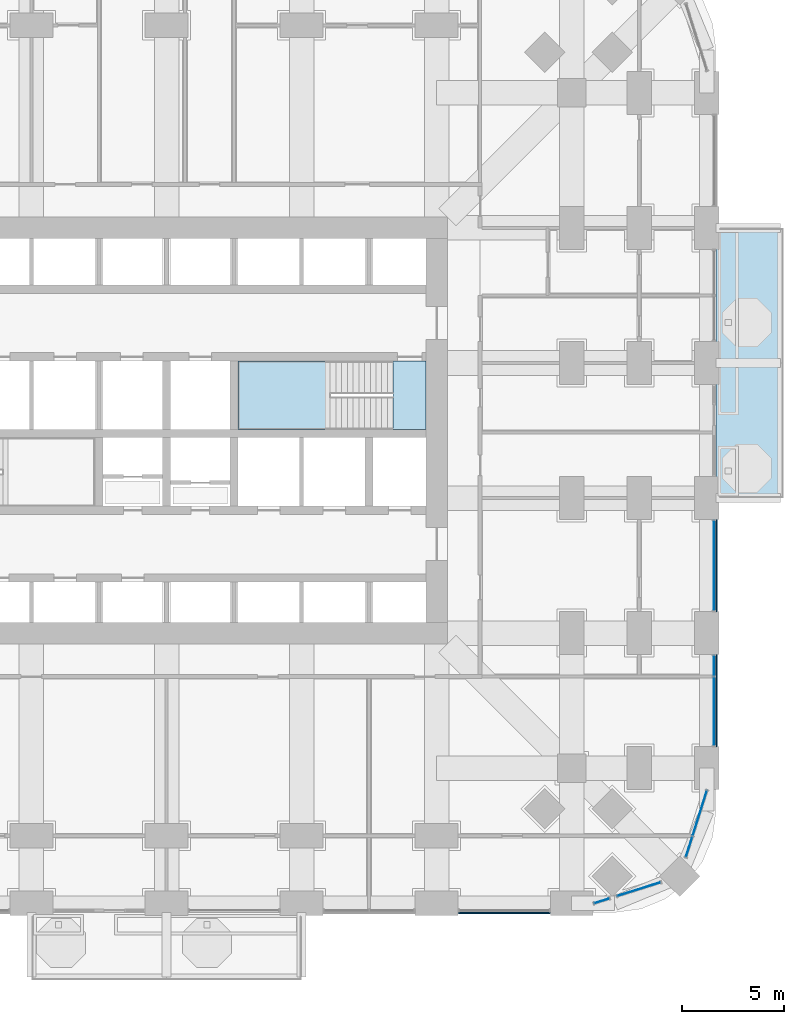
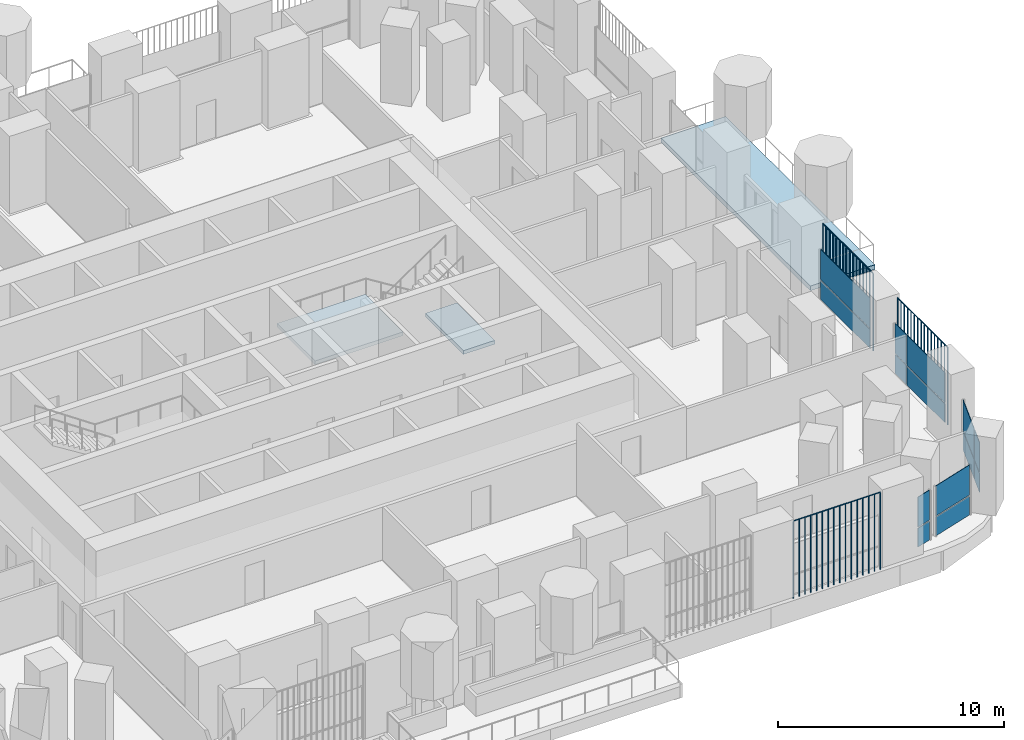
# One storey, part 13 of 26: 17 plates, 3 slabs, 6 elements without a shape of their own.
"""IFC4 building model written with IfcOpenShell, lengths in metres."""

from ifc_helpers import new_model, si_unit, direction, frame, origin, origin_2d, place, context, subcontext, project, spatial, polyline, rectangle, outline, extrude, material, layer, layer_set, type_object, element, aggregate, save


model = new_model("IFC4")

# Units and contexts
model_context = context("Model", 3, precision=1e-05, world=origin(), true_north=direction((0.0, 1.0)))
body_context = subcontext(model_context, "Body", "Model", "MODEL_VIEW")
ifc_project = project(units=[si_unit("LENGTHUNIT", "METRE"), si_unit("AREAUNIT", "SQUARE_METRE"), si_unit("VOLUMEUNIT", "CUBIC_METRE"), si_unit("PLANEANGLEUNIT", "RADIAN"), si_unit("MASSUNIT", "GRAM", prefix="KILO")], contexts=[model_context])

# Site, building, storey
site_placement = place(None, origin())
site = spatial("IfcSite", under=ifc_project, at=site_placement, CompositionType="ELEMENT")
building_placement = place(site_placement, origin())
building = spatial("IfcBuilding", under=site, at=building_placement, Name="Cobogo Forest Laboratory Tower", CompositionType="ELEMENT")
storey_placement = place(building_placement, frame((0.0, 0.0, 25.5)))
storey = spatial("IfcBuildingStorey", under=building, at=storey_placement, Name="L05", CompositionType="ELEMENT", Elevation=25.5)

# Slab
ifc_material_1 = material(Name="Concrete HA-40 (C40/50)", Category="concrete")
ifc_layer_1 = layer(ifc_material_1, 0.25)
ifc_layer_set_1 = layer_set([ifc_layer_1], Name="Balcony slab 250")
slab_type_1 = type_object("IfcSlabType", Name="Balcony slab 250", PredefinedType="FLOOR", material=ifc_layer_set_1)
slab_1_placement = place(storey_placement, frame((0.0, 0.0, -0.25)))
element("IfcSlab", 1, at=slab_1_placement, inside=storey, type_object=slab_type_1, Name="Balcony BAL-E1 L05", PredefinedType="FLOOR", context=body_context, shape_type="SweptSolid", body=[
    extrude(outline(polyline([(53.25, 19.800048828125), (56.550048828125, 19.800048828125), (56.550048828125, 33.0), (53.25, 33.0), (53.25, 19.800048828125)])), origin(), (0.0, 0.0, 1.0), 0.25),
])

# Curtain wall, plates
ifc_material_2 = material(Name="Aluminium curtain wall", Category="aluminium")
curtain_wall_type = type_object("IfcCurtainWallType", Name="CW-1 unitised curtain wall, clear glazing, laboratory floors zones A and B", PredefinedType="USERDEFINED", material=ifc_material_2)
curtain_wall_1_placement = place(storey_placement, origin())
curtain_wall_1 = element("IfcCurtainWall", 2, at=curtain_wall_1_placement, inside=storey, type_object=curtain_wall_type, Name="Curtain wall 07 L05", ObjectType="UNITISED CURTAIN WALL", PredefinedType="USERDEFINED")
ifc_material_3 = material(Name="Clear insulated glass", Category="glass")
ifc_layer_2 = layer(ifc_material_3, 0.028076171875)
ifc_layer_set_2 = layer_set([ifc_layer_2], Name="GP-1 clear insulated glass unit 28")
plate_type_1 = type_object("IfcPlateType", Name="GP-1 clear insulated glass unit 28", PredefinedType="CURTAIN_PANEL", material=ifc_layer_set_2)
plate_1_placement = place(storey_placement, frame((47.666015625, 0.113037109375, 0.0), z_axis=(0.0, 0.0, 1.0), x_axis=(0.953581504428, 0.301135043481, 0.0)))
plate_1 = element("IfcPlate", 3, at=plate_1_placement, type_object=plate_type_1, Name="CW-1 panel 1.1", PredefinedType="CURTAIN_PANEL", context=body_context, shape_type="SweptSolid", body=[
    extrude(rectangle(XDim=0.75244140625, YDim=0.028076171875, at=origin_2d()), origin(), (0.0, 0.0, 1.0), 1.02001953125),
])
plate_2_placement = place(storey_placement, frame((47.666015625, 0.113037109375, 1.079833984375), z_axis=(0.0, 0.0, 1.0), x_axis=(0.953581504428, 0.301135043481, 0.0)))
plate_2 = element("IfcPlate", 4, at=plate_2_placement, type_object=plate_type_1, Name="CW-1 panel 1.2", PredefinedType="CURTAIN_PANEL", context=body_context, shape_type="SweptSolid", body=[
    extrude(rectangle(XDim=0.75244140625, YDim=0.028076171875, at=origin_2d()), origin(), (0.0, 0.0, 1.0), 1.6201171875),
])
aggregate(curtain_wall_1, [plate_1, plate_2])

curtain_wall_2_placement = place(storey_placement, origin())
curtain_wall_2 = element("IfcCurtainWall", 5, at=curtain_wall_2_placement, inside=storey, type_object=curtain_wall_type, Name="Curtain wall 08 L05", ObjectType="UNITISED CURTAIN WALL", PredefinedType="USERDEFINED")
plate_3_placement = place(storey_placement, frame((49.482177734375, 0.6865234375, 0.0), z_axis=(0.0, 0.0, 1.0), x_axis=(0.953581409645, 0.301135343623, 0.0)))
plate_3 = element("IfcPlate", 6, at=plate_3_placement, type_object=plate_type_1, Name="CW-1 panel 1.1", PredefinedType="CURTAIN_PANEL", context=body_context, shape_type="SweptSolid", body=[
    extrude(rectangle(XDim=2.203369140625, YDim=0.028076171875, at=origin_2d()), origin(), (0.0, 0.0, 1.0), 1.02001953125),
])
plate_4_placement = place(storey_placement, frame((49.482177734375, 0.6865234375, 1.079833984375), z_axis=(0.0, 0.0, 1.0), x_axis=(0.953581409645, 0.301135343623, 0.0)))
plate_4 = element("IfcPlate", 7, at=plate_4_placement, type_object=plate_type_1, Name="CW-1 panel 1.2", PredefinedType="CURTAIN_PANEL", context=body_context, shape_type="SweptSolid", body=[
    extrude(rectangle(XDim=2.203369140625, YDim=0.028076171875, at=origin_2d()), origin(), (0.0, 0.0, 1.0), 1.6201171875),
])
aggregate(curtain_wall_2, [plate_3, plate_4])

curtain_wall_3_placement = place(storey_placement, origin())
curtain_wall_3 = element("IfcCurtainWall", 8, at=curtain_wall_3_placement, inside=storey, type_object=curtain_wall_type, Name="Curtain wall 09 L05", ObjectType="UNITISED CURTAIN WALL", PredefinedType="USERDEFINED")
plate_5_placement = place(storey_placement, frame((51.9365234375, 2.75732421875, 0.0), z_axis=(0.0, 0.0, 1.0), x_axis=(0.30113535792, 0.95358140513, 0.0)))
plate_5 = element("IfcPlate", 9, at=plate_5_placement, type_object=plate_type_1, Name="CW-1 panel 1.1", PredefinedType="CURTAIN_PANEL", context=body_context, shape_type="SweptSolid", body=[
    extrude(rectangle(XDim=1.027587890625, YDim=0.028076171875, at=origin_2d()), origin(), (0.0, 0.0, 1.0), 1.02001953125),
])
plate_6_placement = place(storey_placement, frame((51.9365234375, 2.75732421875, 1.079833984375), z_axis=(0.0, 0.0, 1.0), x_axis=(0.30113535792, 0.95358140513, 0.0)))
plate_6 = element("IfcPlate", 10, at=plate_6_placement, type_object=plate_type_1, Name="CW-1 panel 1.2", PredefinedType="CURTAIN_PANEL", context=body_context, shape_type="SweptSolid", body=[
    extrude(rectangle(XDim=1.027587890625, YDim=0.028076171875, at=origin_2d()), origin(), (0.0, 0.0, 1.0), 1.6201171875),
])
plate_7_placement = place(storey_placement, frame((52.454833984375, 4.398681640625, 0.0), z_axis=(0.0, 0.0, 1.0), x_axis=(0.30113535792, 0.95358140513, 0.0)))
plate_7 = element("IfcPlate", 11, at=plate_7_placement, type_object=plate_type_1, Name="CW-1 panel 2.1", PredefinedType="CURTAIN_PANEL", context=body_context, shape_type="SweptSolid", body=[
    extrude(rectangle(XDim=2.294677734375, YDim=0.028076171875, at=origin_2d()), origin(), (0.0, 0.0, 1.0), 1.02001953125),
])
plate_8_placement = place(storey_placement, frame((52.454833984375, 4.398681640625, 1.079833984375), z_axis=(0.0, 0.0, 1.0), x_axis=(0.30113535792, 0.95358140513, 0.0)))
plate_8 = element("IfcPlate", 12, at=plate_8_placement, type_object=plate_type_1, Name="CW-1 panel 2.2", PredefinedType="CURTAIN_PANEL", context=body_context, shape_type="SweptSolid", body=[
    extrude(rectangle(XDim=2.294677734375, YDim=0.028076171875, at=origin_2d()), origin(), (0.0, 0.0, 1.0), 1.6201171875),
])
aggregate(curtain_wall_3, [plate_5, plate_6, plate_7, plate_8])

curtain_wall_4_placement = place(storey_placement, origin())
curtain_wall_4 = element("IfcCurtainWall", 13, at=curtain_wall_4_placement, inside=storey, type_object=curtain_wall_type, Name="Curtain wall 10 L05", ObjectType="UNITISED CURTAIN WALL", PredefinedType="USERDEFINED")
plate_9_placement = place(storey_placement, frame((53.14990234375, 9.37744140625, 0.0), z_axis=(0.0, 0.0, 1.0), x_axis=(0.0, 1.0, 0.0)))
plate_9 = element("IfcPlate", 14, at=plate_9_placement, type_object=plate_type_1, Name="CW-1 panel 1.1", PredefinedType="CURTAIN_PANEL", context=body_context, shape_type="SweptSolid", body=[
    extrude(rectangle(XDim=3.3349609375, YDim=0.028076171875, at=origin_2d()), origin(), (0.0, 0.0, 1.0), 1.02001953125),
])
plate_10_placement = place(storey_placement, frame((53.14990234375, 9.37744140625, 1.079833984375), z_axis=(0.0, 0.0, 1.0), x_axis=(0.0, 1.0, 0.0)))
plate_10 = element("IfcPlate", 15, at=plate_10_placement, type_object=plate_type_1, Name="CW-1 panel 1.2", PredefinedType="CURTAIN_PANEL", context=body_context, shape_type="SweptSolid", body=[
    extrude(rectangle(XDim=3.3349609375, YDim=0.028076171875, at=origin_2d()), origin(), (0.0, 0.0, 1.0), 1.6201171875),
])
plate_11_placement = place(storey_placement, frame((53.14990234375, 11.597412109375, 0.0), z_axis=(0.0, 0.0, 1.0), x_axis=(0.0, 1.0, 0.0)))
plate_11 = element("IfcPlate", 16, at=plate_11_placement, type_object=plate_type_1, Name="CW-1 panel 2.1", PredefinedType="CURTAIN_PANEL", context=body_context, shape_type="SweptSolid", body=[
    extrude(rectangle(XDim=0.985107421875, YDim=0.028076171875, at=origin_2d()), origin(), (0.0, 0.0, 1.0), 1.02001953125),
])
plate_12_placement = place(storey_placement, frame((53.14990234375, 11.597412109375, 1.079833984375), z_axis=(0.0, 0.0, 1.0), x_axis=(0.0, 1.0, 0.0)))
plate_12 = element("IfcPlate", 17, at=plate_12_placement, type_object=plate_type_1, Name="CW-1 panel 2.2", PredefinedType="CURTAIN_PANEL", context=body_context, shape_type="SweptSolid", body=[
    extrude(rectangle(XDim=0.985107421875, YDim=0.028076171875, at=origin_2d()), origin(), (0.0, 0.0, 1.0), 1.6201171875),
])
aggregate(curtain_wall_4, [plate_9, plate_10, plate_11, plate_12])

curtain_wall_5_placement = place(storey_placement, origin())
curtain_wall_5 = element("IfcCurtainWall", 18, at=curtain_wall_5_placement, inside=storey, type_object=curtain_wall_type, Name="Curtain wall 11 L05", ObjectType="UNITISED CURTAIN WALL", PredefinedType="USERDEFINED")
plate_13_placement = place(storey_placement, frame((53.14990234375, 16.5, 0.0), z_axis=(0.0, 0.0, 1.0), x_axis=(0.0, 1.0, 0.0)))
plate_13 = element("IfcPlate", 19, at=plate_13_placement, type_object=plate_type_1, Name="CW-1 panel 1.1", PredefinedType="CURTAIN_PANEL", context=body_context, shape_type="SweptSolid", body=[
    extrude(rectangle(XDim=4.3798828125, YDim=0.028076171875, at=origin_2d()), origin(), (0.0, 0.0, 1.0), 1.02001953125),
])
plate_14_placement = place(storey_placement, frame((53.14990234375, 16.5, 1.079833984375), z_axis=(0.0, 0.0, 1.0), x_axis=(0.0, 1.0, 0.0)))
plate_14 = element("IfcPlate", 20, at=plate_14_placement, type_object=plate_type_1, Name="CW-1 panel 1.2", PredefinedType="CURTAIN_PANEL", context=body_context, shape_type="SweptSolid", body=[
    extrude(rectangle(XDim=4.3798828125, YDim=0.028076171875, at=origin_2d()), origin(), (0.0, 0.0, 1.0), 1.6201171875),
])
aggregate(curtain_wall_5, [plate_13, plate_14])

# Stair, slabs
ifc_material_4 = material(Name="Precast concrete HA-40 (C40/50)", Category="concrete")
stair_type = type_object("IfcStairType", Name="ST24 exit stair 24 risers", PredefinedType="HALF_TURN_STAIR", material=ifc_material_4)
stair_placement = place(storey_placement, origin())
stair = element("IfcStair", 21, at=stair_placement, inside=storey, type_object=stair_type, Name="Stair 2 L05 to L06", PredefinedType="HALF_TURN_STAIR")
ifc_layer_3 = layer(ifc_material_1, 0.199951171875)
ifc_layer_set_3 = layer_set([ifc_layer_3], Name="SL stair landing 200")
slab_type_2 = type_object("IfcSlabType", Name="SL stair landing 200", PredefinedType="LANDING", material=ifc_layer_set_3)
slab_2_placement = place(storey_placement, frame((0.0, 0.0, -0.199951171875)))
slab_2 = element("IfcSlab", 22, at=slab_2_placement, type_object=slab_type_2, Name="ST2 landing 1", PredefinedType="LANDING", context=body_context, shape_type="SweptSolid", body=[
    extrude(outline(polyline([(37.472900390625, 23.14990234375), (39.074951171875, 23.14990234375), (39.074951171875, 26.5), (37.472900390625, 26.5), (37.472900390625, 23.14990234375)])), origin(), (0.0, 0.0, 1.0), 0.199951171875),
])
slab_3_placement = place(storey_placement, frame((0.0, 0.0, 1.89990234375)))
slab_3 = element("IfcSlab", 23, at=slab_3_placement, type_object=slab_type_2, Name="ST2 landing 2", PredefinedType="LANDING", context=body_context, shape_type="SweptSolid", body=[
    extrude(outline(polyline([(29.89990234375, 23.14990234375), (34.39697265625, 23.14990234375), (34.39697265625, 26.5), (29.89990234375, 26.5), (29.89990234375, 23.14990234375)])), origin(), (0.0, 0.0, 1.0), 0.2001953125),
])
aggregate(stair, [slab_2, slab_3])

# Plates
ifc_material_5 = material(Name="Terracotta", Category="masonry")
plate_type_2 = type_object("IfcPlateType", Name="TB1 terracotta baguette screen", PredefinedType="USERDEFINED", material=ifc_material_5)
plate_15_placement = place(storey_placement, frame((40.68115234375, -0.477783203125, -0.14990234375)))
element("IfcPlate", 24, at=plate_15_placement, inside=storey, type_object=plate_type_2, Name="Baguette screen S6 L05", ObjectType="BAGUETTE SCREEN", PredefinedType="USERDEFINED", context=body_context, shape_type="SweptSolid", body=[
    extrude(outline(polyline([(0.02880859375, 0.011962890625), (0.011962890625, 0.02880859375), (-0.011962890625, 0.02880859375), (-0.02880859375, 0.011962890625), (-0.02880859375, -0.011962890625), (-0.011962890625, -0.02880859375), (0.011962890625, -0.02880859375), (0.02880859375, -0.011962890625), (0.02880859375, 0.011962890625)])), frame((0.0, 0.0, 4.168701171875), z_axis=(1.0, 0.0, 0.0), x_axis=(0.0, 1.0, 0.0)), (0.0, 0.0, 1.0), 4.4375),
    extrude(outline(polyline([(0.02880859375, 0.011962890625), (0.011962890625, 0.02880859375), (-0.011962890625, 0.02880859375), (-0.02880859375, 0.011962890625), (-0.02880859375, -0.011962890625), (-0.011962890625, -0.02880859375), (0.011962890625, -0.02880859375), (0.02880859375, -0.011962890625), (0.02880859375, 0.011962890625)])), origin(), (0.0, 0.0, 1.0), 4.137451171875),
    extrude(outline(polyline([(0.02880859375, 0.011962890625), (0.011962890625, 0.02880859375), (-0.011962890625, 0.02880859375), (-0.02880859375, 0.011962890625), (-0.02880859375, -0.011962890625), (-0.011962890625, -0.02880859375), (0.011962890625, -0.02880859375), (0.02880859375, -0.011962890625), (0.02880859375, 0.011962890625)])), frame((0.2958984375, 0.0, 0.0)), (0.0, 0.0, 1.0), 4.137451171875),
    extrude(outline(polyline([(0.02880859375, 0.011962890625), (0.011962890625, 0.02880859375), (-0.011962890625, 0.02880859375), (-0.02880859375, 0.011962890625), (-0.02880859375, -0.011962890625), (-0.011962890625, -0.02880859375), (0.011962890625, -0.02880859375), (0.02880859375, -0.011962890625), (0.02880859375, 0.011962890625)])), frame((0.591552734375, 0.0, 0.0)), (0.0, 0.0, 1.0), 4.137451171875),
    extrude(outline(polyline([(0.02880859375, 0.011962890625), (0.011962890625, 0.02880859375), (-0.011962890625, 0.02880859375), (-0.02880859375, 0.011962890625), (-0.02880859375, -0.011962890625), (-0.011962890625, -0.02880859375), (0.011962890625, -0.02880859375), (0.02880859375, -0.011962890625), (0.02880859375, 0.011962890625)])), frame((0.887451171875, 0.0, 0.0)), (0.0, 0.0, 1.0), 4.137451171875),
    extrude(outline(polyline([(0.02880859375, 0.011962890625), (0.011962890625, 0.02880859375), (-0.011962890625, 0.02880859375), (-0.02880859375, 0.011962890625), (-0.02880859375, -0.011962890625), (-0.011962890625, -0.02880859375), (0.011962890625, -0.02880859375), (0.02880859375, -0.011962890625), (0.02880859375, 0.011962890625)])), frame((1.183349609375, 0.0, 0.0)), (0.0, 0.0, 1.0), 4.137451171875),
    extrude(outline(polyline([(0.02880859375, 0.011962890625), (0.011962890625, 0.02880859375), (-0.011962890625, 0.02880859375), (-0.02880859375, 0.011962890625), (-0.02880859375, -0.011962890625), (-0.011962890625, -0.02880859375), (0.011962890625, -0.02880859375), (0.02880859375, -0.011962890625), (0.02880859375, 0.011962890625)])), frame((1.479248046875, 0.0, 0.0)), (0.0, 0.0, 1.0), 4.137451171875),
    extrude(outline(polyline([(0.02880859375, 0.011962890625), (0.011962890625, 0.02880859375), (-0.011962890625, 0.02880859375), (-0.02880859375, 0.011962890625), (-0.02880859375, -0.011962890625), (-0.011962890625, -0.02880859375), (0.011962890625, -0.02880859375), (0.02880859375, -0.011962890625), (0.02880859375, 0.011962890625)])), frame((1.77490234375, 0.0, 0.0)), (0.0, 0.0, 1.0), 4.137451171875),
    extrude(outline(polyline([(0.02880859375, 0.011962890625), (0.011962890625, 0.02880859375), (-0.011962890625, 0.02880859375), (-0.02880859375, 0.011962890625), (-0.02880859375, -0.011962890625), (-0.011962890625, -0.02880859375), (0.011962890625, -0.02880859375), (0.02880859375, -0.011962890625), (0.02880859375, 0.011962890625)])), frame((2.07080078125, 0.0, 0.0)), (0.0, 0.0, 1.0), 4.137451171875),
    extrude(outline(polyline([(0.02880859375, 0.011962890625), (0.011962890625, 0.02880859375), (-0.011962890625, 0.02880859375), (-0.02880859375, 0.011962890625), (-0.02880859375, -0.011962890625), (-0.011962890625, -0.02880859375), (0.011962890625, -0.02880859375), (0.02880859375, -0.011962890625), (0.02880859375, 0.011962890625)])), frame((2.36669921875, 0.0, 0.0)), (0.0, 0.0, 1.0), 4.137451171875),
    extrude(outline(polyline([(0.02880859375, 0.011962890625), (0.011962890625, 0.02880859375), (-0.011962890625, 0.02880859375), (-0.02880859375, 0.011962890625), (-0.02880859375, -0.011962890625), (-0.011962890625, -0.02880859375), (0.011962890625, -0.02880859375), (0.02880859375, -0.011962890625), (0.02880859375, 0.011962890625)])), frame((2.66259765625, 0.0, 0.0)), (0.0, 0.0, 1.0), 4.137451171875),
    extrude(outline(polyline([(0.02880859375, 0.011962890625), (0.011962890625, 0.02880859375), (-0.011962890625, 0.02880859375), (-0.02880859375, 0.011962890625), (-0.02880859375, -0.011962890625), (-0.011962890625, -0.02880859375), (0.011962890625, -0.02880859375), (0.02880859375, -0.011962890625), (0.02880859375, 0.011962890625)])), frame((2.958251953125, 0.0, 0.0)), (0.0, 0.0, 1.0), 4.137451171875),
    extrude(outline(polyline([(0.02880859375, 0.011962890625), (0.011962890625, 0.02880859375), (-0.011962890625, 0.02880859375), (-0.02880859375, 0.011962890625), (-0.02880859375, -0.011962890625), (-0.011962890625, -0.02880859375), (0.011962890625, -0.02880859375), (0.02880859375, -0.011962890625), (0.02880859375, 0.011962890625)])), frame((3.254150390625, 0.0, 0.0)), (0.0, 0.0, 1.0), 4.137451171875),
    extrude(outline(polyline([(0.02880859375, 0.011962890625), (0.011962890625, 0.02880859375), (-0.011962890625, 0.02880859375), (-0.02880859375, 0.011962890625), (-0.02880859375, -0.011962890625), (-0.011962890625, -0.02880859375), (0.011962890625, -0.02880859375), (0.02880859375, -0.011962890625), (0.02880859375, 0.011962890625)])), frame((3.550048828125, 0.0, 0.0)), (0.0, 0.0, 1.0), 4.137451171875),
    extrude(outline(polyline([(0.02880859375, 0.011962890625), (0.011962890625, 0.02880859375), (-0.011962890625, 0.02880859375), (-0.02880859375, 0.011962890625), (-0.02880859375, -0.011962890625), (-0.011962890625, -0.02880859375), (0.011962890625, -0.02880859375), (0.02880859375, -0.011962890625), (0.02880859375, 0.011962890625)])), frame((3.845947265625, 0.0, 0.0)), (0.0, 0.0, 1.0), 4.137451171875),
    extrude(outline(polyline([(0.02880859375, 0.011962890625), (0.011962890625, 0.02880859375), (-0.011962890625, 0.02880859375), (-0.02880859375, 0.011962890625), (-0.02880859375, -0.011962890625), (-0.011962890625, -0.02880859375), (0.011962890625, -0.02880859375), (0.02880859375, -0.011962890625), (0.02880859375, 0.011962890625)])), frame((4.1416015625, 0.0, 0.0)), (0.0, 0.0, 1.0), 4.137451171875),
    extrude(outline(polyline([(0.02880859375, 0.011962890625), (0.011962890625, 0.02880859375), (-0.011962890625, 0.02880859375), (-0.02880859375, 0.011962890625), (-0.02880859375, -0.011962890625), (-0.011962890625, -0.02880859375), (0.011962890625, -0.02880859375), (0.02880859375, -0.011962890625), (0.02880859375, 0.011962890625)])), frame((4.4375, 0.0, 0.0)), (0.0, 0.0, 1.0), 4.137451171875),
])
plate_16_placement = place(storey_placement, frame((53.27783203125, 7.68115234375, -0.14990234375)))
element("IfcPlate", 25, at=plate_16_placement, inside=storey, type_object=plate_type_2, Name="Baguette screen E1 L05", ObjectType="BAGUETTE SCREEN", PredefinedType="USERDEFINED", context=body_context, shape_type="SweptSolid", body=[
    extrude(outline(polyline([(0.02880859375, 0.011962890625), (0.011962890625, 0.02880859375), (-0.011962890625, 0.02880859375), (-0.02880859375, 0.011962890625), (-0.02880859375, -0.011962890625), (-0.011962890625, -0.02880859375), (0.011962890625, -0.02880859375), (0.02880859375, -0.011962890625), (0.02880859375, 0.011962890625)])), frame((0.0, 0.0, 4.168701171875), z_axis=(0.0, 1.0, 0.0), x_axis=(-1.0, 0.0, 0.0)), (0.0, 0.0, 1.0), 4.4375),
    extrude(outline(polyline([(0.02880859375, 0.011962890625), (0.011962890625, 0.02880859375), (-0.011962890625, 0.02880859375), (-0.02880859375, 0.011962890625), (-0.02880859375, -0.011962890625), (-0.011962890625, -0.02880859375), (0.011962890625, -0.02880859375), (0.02880859375, -0.011962890625), (0.02880859375, 0.011962890625)])), origin(), (0.0, 0.0, 1.0), 4.137451171875),
    extrude(outline(polyline([(0.02880859375, 0.011962890625), (0.011962890625, 0.02880859375), (-0.011962890625, 0.02880859375), (-0.02880859375, 0.011962890625), (-0.02880859375, -0.011962890625), (-0.011962890625, -0.02880859375), (0.011962890625, -0.02880859375), (0.02880859375, -0.011962890625), (0.02880859375, 0.011962890625)])), frame((0.0, 0.2958984375, 0.0)), (0.0, 0.0, 1.0), 4.137451171875),
    extrude(outline(polyline([(0.02880859375, 0.011962890625), (0.011962890625, 0.02880859375), (-0.011962890625, 0.02880859375), (-0.02880859375, 0.011962890625), (-0.02880859375, -0.011962890625), (-0.011962890625, -0.02880859375), (0.011962890625, -0.02880859375), (0.02880859375, -0.011962890625), (0.02880859375, 0.011962890625)])), frame((0.0, 0.591552734375, 0.0)), (0.0, 0.0, 1.0), 4.137451171875),
    extrude(outline(polyline([(0.02880859375, 0.011962890625), (0.011962890625, 0.02880859375), (-0.011962890625, 0.02880859375), (-0.02880859375, 0.011962890625), (-0.02880859375, -0.011962890625), (-0.011962890625, -0.02880859375), (0.011962890625, -0.02880859375), (0.02880859375, -0.011962890625), (0.02880859375, 0.011962890625)])), frame((0.0, 0.887451171875, 0.0)), (0.0, 0.0, 1.0), 4.137451171875),
    extrude(outline(polyline([(0.02880859375, 0.011962890625), (0.011962890625, 0.02880859375), (-0.011962890625, 0.02880859375), (-0.02880859375, 0.011962890625), (-0.02880859375, -0.011962890625), (-0.011962890625, -0.02880859375), (0.011962890625, -0.02880859375), (0.02880859375, -0.011962890625), (0.02880859375, 0.011962890625)])), frame((0.0, 1.183349609375, 0.0)), (0.0, 0.0, 1.0), 4.137451171875),
    extrude(outline(polyline([(0.02880859375, 0.011962890625), (0.011962890625, 0.02880859375), (-0.011962890625, 0.02880859375), (-0.02880859375, 0.011962890625), (-0.02880859375, -0.011962890625), (-0.011962890625, -0.02880859375), (0.011962890625, -0.02880859375), (0.02880859375, -0.011962890625), (0.02880859375, 0.011962890625)])), frame((0.0, 1.479248046875, 0.0)), (0.0, 0.0, 1.0), 4.137451171875),
    extrude(outline(polyline([(0.02880859375, 0.011962890625), (0.011962890625, 0.02880859375), (-0.011962890625, 0.02880859375), (-0.02880859375, 0.011962890625), (-0.02880859375, -0.011962890625), (-0.011962890625, -0.02880859375), (0.011962890625, -0.02880859375), (0.02880859375, -0.011962890625), (0.02880859375, 0.011962890625)])), frame((0.0, 1.77490234375, 0.0)), (0.0, 0.0, 1.0), 4.137451171875),
    extrude(outline(polyline([(0.02880859375, 0.011962890625), (0.011962890625, 0.02880859375), (-0.011962890625, 0.02880859375), (-0.02880859375, 0.011962890625), (-0.02880859375, -0.011962890625), (-0.011962890625, -0.02880859375), (0.011962890625, -0.02880859375), (0.02880859375, -0.011962890625), (0.02880859375, 0.011962890625)])), frame((0.0, 2.07080078125, 0.0)), (0.0, 0.0, 1.0), 4.137451171875),
    extrude(outline(polyline([(0.02880859375, 0.011962890625), (0.011962890625, 0.02880859375), (-0.011962890625, 0.02880859375), (-0.02880859375, 0.011962890625), (-0.02880859375, -0.011962890625), (-0.011962890625, -0.02880859375), (0.011962890625, -0.02880859375), (0.02880859375, -0.011962890625), (0.02880859375, 0.011962890625)])), frame((0.0, 2.36669921875, 0.0)), (0.0, 0.0, 1.0), 4.137451171875),
    extrude(outline(polyline([(0.02880859375, 0.011962890625), (0.011962890625, 0.02880859375), (-0.011962890625, 0.02880859375), (-0.02880859375, 0.011962890625), (-0.02880859375, -0.011962890625), (-0.011962890625, -0.02880859375), (0.011962890625, -0.02880859375), (0.02880859375, -0.011962890625), (0.02880859375, 0.011962890625)])), frame((0.0, 2.66259765625, 0.0)), (0.0, 0.0, 1.0), 4.137451171875),
    extrude(outline(polyline([(0.02880859375, 0.011962890625), (0.011962890625, 0.02880859375), (-0.011962890625, 0.02880859375), (-0.02880859375, 0.011962890625), (-0.02880859375, -0.011962890625), (-0.011962890625, -0.02880859375), (0.011962890625, -0.02880859375), (0.02880859375, -0.011962890625), (0.02880859375, 0.011962890625)])), frame((0.0, 2.958251953125, 0.0)), (0.0, 0.0, 1.0), 4.137451171875),
    extrude(outline(polyline([(0.02880859375, 0.011962890625), (0.011962890625, 0.02880859375), (-0.011962890625, 0.02880859375), (-0.02880859375, 0.011962890625), (-0.02880859375, -0.011962890625), (-0.011962890625, -0.02880859375), (0.011962890625, -0.02880859375), (0.02880859375, -0.011962890625), (0.02880859375, 0.011962890625)])), frame((0.0, 3.254150390625, 0.0)), (0.0, 0.0, 1.0), 4.137451171875),
    extrude(outline(polyline([(0.02880859375, 0.011962890625), (0.011962890625, 0.02880859375), (-0.011962890625, 0.02880859375), (-0.02880859375, 0.011962890625), (-0.02880859375, -0.011962890625), (-0.011962890625, -0.02880859375), (0.011962890625, -0.02880859375), (0.02880859375, -0.011962890625), (0.02880859375, 0.011962890625)])), frame((0.0, 3.550048828125, 0.0)), (0.0, 0.0, 1.0), 4.137451171875),
    extrude(outline(polyline([(0.02880859375, 0.011962890625), (0.011962890625, 0.02880859375), (-0.011962890625, 0.02880859375), (-0.02880859375, 0.011962890625), (-0.02880859375, -0.011962890625), (-0.011962890625, -0.02880859375), (0.011962890625, -0.02880859375), (0.02880859375, -0.011962890625), (0.02880859375, 0.011962890625)])), frame((0.0, 3.845947265625, 0.0)), (0.0, 0.0, 1.0), 4.137451171875),
    extrude(outline(polyline([(0.02880859375, 0.011962890625), (0.011962890625, 0.02880859375), (-0.011962890625, 0.02880859375), (-0.02880859375, 0.011962890625), (-0.02880859375, -0.011962890625), (-0.011962890625, -0.02880859375), (0.011962890625, -0.02880859375), (0.02880859375, -0.011962890625), (0.02880859375, 0.011962890625)])), frame((0.0, 4.1416015625, 0.0)), (0.0, 0.0, 1.0), 4.137451171875),
    extrude(outline(polyline([(0.02880859375, 0.011962890625), (0.011962890625, 0.02880859375), (-0.011962890625, 0.02880859375), (-0.02880859375, 0.011962890625), (-0.02880859375, -0.011962890625), (-0.011962890625, -0.02880859375), (0.011962890625, -0.02880859375), (0.02880859375, -0.011962890625), (0.02880859375, 0.011962890625)])), frame((0.0, 4.4375, 0.0)), (0.0, 0.0, 1.0), 4.137451171875),
])
plate_17_placement = place(storey_placement, frame((53.27783203125, 14.28125, -0.14990234375)))
element("IfcPlate", 26, at=plate_17_placement, inside=storey, type_object=plate_type_2, Name="Baguette screen E2 L05", ObjectType="BAGUETTE SCREEN", PredefinedType="USERDEFINED", context=body_context, shape_type="SweptSolid", body=[
    extrude(outline(polyline([(0.02880859375, 0.011962890625), (0.011962890625, 0.02880859375), (-0.011962890625, 0.02880859375), (-0.02880859375, 0.011962890625), (-0.02880859375, -0.011962890625), (-0.011962890625, -0.02880859375), (0.011962890625, -0.02880859375), (0.02880859375, -0.011962890625), (0.02880859375, 0.011962890625)])), frame((0.0, 0.0, 4.168701171875), z_axis=(0.0, 1.0, 0.0), x_axis=(-1.0, 0.0, 0.0)), (0.0, 0.0, 1.0), 4.4375),
    extrude(outline(polyline([(0.02880859375, 0.011962890625), (0.011962890625, 0.02880859375), (-0.011962890625, 0.02880859375), (-0.02880859375, 0.011962890625), (-0.02880859375, -0.011962890625), (-0.011962890625, -0.02880859375), (0.011962890625, -0.02880859375), (0.02880859375, -0.011962890625), (0.02880859375, 0.011962890625)])), origin(), (0.0, 0.0, 1.0), 4.137451171875),
    extrude(outline(polyline([(0.02880859375, 0.011962890625), (0.011962890625, 0.02880859375), (-0.011962890625, 0.02880859375), (-0.02880859375, 0.011962890625), (-0.02880859375, -0.011962890625), (-0.011962890625, -0.02880859375), (0.011962890625, -0.02880859375), (0.02880859375, -0.011962890625), (0.02880859375, 0.011962890625)])), frame((0.0, 0.2958984375, 0.0)), (0.0, 0.0, 1.0), 4.137451171875),
    extrude(outline(polyline([(0.02880859375, 0.011962890625), (0.011962890625, 0.02880859375), (-0.011962890625, 0.02880859375), (-0.02880859375, 0.011962890625), (-0.02880859375, -0.011962890625), (-0.011962890625, -0.02880859375), (0.011962890625, -0.02880859375), (0.02880859375, -0.011962890625), (0.02880859375, 0.011962890625)])), frame((0.0, 0.591552734375, 0.0)), (0.0, 0.0, 1.0), 4.137451171875),
    extrude(outline(polyline([(0.02880859375, 0.011962890625), (0.011962890625, 0.02880859375), (-0.011962890625, 0.02880859375), (-0.02880859375, 0.011962890625), (-0.02880859375, -0.011962890625), (-0.011962890625, -0.02880859375), (0.011962890625, -0.02880859375), (0.02880859375, -0.011962890625), (0.02880859375, 0.011962890625)])), frame((0.0, 0.887451171875, 0.0)), (0.0, 0.0, 1.0), 4.137451171875),
    extrude(outline(polyline([(0.02880859375, 0.011962890625), (0.011962890625, 0.02880859375), (-0.011962890625, 0.02880859375), (-0.02880859375, 0.011962890625), (-0.02880859375, -0.011962890625), (-0.011962890625, -0.02880859375), (0.011962890625, -0.02880859375), (0.02880859375, -0.011962890625), (0.02880859375, 0.011962890625)])), frame((0.0, 1.183349609375, 0.0)), (0.0, 0.0, 1.0), 4.137451171875),
    extrude(outline(polyline([(0.02880859375, 0.011962890625), (0.011962890625, 0.02880859375), (-0.011962890625, 0.02880859375), (-0.02880859375, 0.011962890625), (-0.02880859375, -0.011962890625), (-0.011962890625, -0.02880859375), (0.011962890625, -0.02880859375), (0.02880859375, -0.011962890625), (0.02880859375, 0.011962890625)])), frame((0.0, 1.479248046875, 0.0)), (0.0, 0.0, 1.0), 4.137451171875),
    extrude(outline(polyline([(0.02880859375, 0.011962890625), (0.011962890625, 0.02880859375), (-0.011962890625, 0.02880859375), (-0.02880859375, 0.011962890625), (-0.02880859375, -0.011962890625), (-0.011962890625, -0.02880859375), (0.011962890625, -0.02880859375), (0.02880859375, -0.011962890625), (0.02880859375, 0.011962890625)])), frame((0.0, 1.77490234375, 0.0)), (0.0, 0.0, 1.0), 4.137451171875),
    extrude(outline(polyline([(0.02880859375, 0.011962890625), (0.011962890625, 0.02880859375), (-0.011962890625, 0.02880859375), (-0.02880859375, 0.011962890625), (-0.02880859375, -0.011962890625), (-0.011962890625, -0.02880859375), (0.011962890625, -0.02880859375), (0.02880859375, -0.011962890625), (0.02880859375, 0.011962890625)])), frame((0.0, 2.07080078125, 0.0)), (0.0, 0.0, 1.0), 4.137451171875),
    extrude(outline(polyline([(0.02880859375, 0.011962890625), (0.011962890625, 0.02880859375), (-0.011962890625, 0.02880859375), (-0.02880859375, 0.011962890625), (-0.02880859375, -0.011962890625), (-0.011962890625, -0.02880859375), (0.011962890625, -0.02880859375), (0.02880859375, -0.011962890625), (0.02880859375, 0.011962890625)])), frame((0.0, 2.36669921875, 0.0)), (0.0, 0.0, 1.0), 4.137451171875),
    extrude(outline(polyline([(0.02880859375, 0.011962890625), (0.011962890625, 0.02880859375), (-0.011962890625, 0.02880859375), (-0.02880859375, 0.011962890625), (-0.02880859375, -0.011962890625), (-0.011962890625, -0.02880859375), (0.011962890625, -0.02880859375), (0.02880859375, -0.011962890625), (0.02880859375, 0.011962890625)])), frame((0.0, 2.66259765625, 0.0)), (0.0, 0.0, 1.0), 4.137451171875),
    extrude(outline(polyline([(0.02880859375, 0.011962890625), (0.011962890625, 0.02880859375), (-0.011962890625, 0.02880859375), (-0.02880859375, 0.011962890625), (-0.02880859375, -0.011962890625), (-0.011962890625, -0.02880859375), (0.011962890625, -0.02880859375), (0.02880859375, -0.011962890625), (0.02880859375, 0.011962890625)])), frame((0.0, 2.958251953125, 0.0)), (0.0, 0.0, 1.0), 4.137451171875),
    extrude(outline(polyline([(0.02880859375, 0.011962890625), (0.011962890625, 0.02880859375), (-0.011962890625, 0.02880859375), (-0.02880859375, 0.011962890625), (-0.02880859375, -0.011962890625), (-0.011962890625, -0.02880859375), (0.011962890625, -0.02880859375), (0.02880859375, -0.011962890625), (0.02880859375, 0.011962890625)])), frame((0.0, 3.254150390625, 0.0)), (0.0, 0.0, 1.0), 4.137451171875),
    extrude(outline(polyline([(0.02880859375, 0.011962890625), (0.011962890625, 0.02880859375), (-0.011962890625, 0.02880859375), (-0.02880859375, 0.011962890625), (-0.02880859375, -0.011962890625), (-0.011962890625, -0.02880859375), (0.011962890625, -0.02880859375), (0.02880859375, -0.011962890625), (0.02880859375, 0.011962890625)])), frame((0.0, 3.550048828125, 0.0)), (0.0, 0.0, 1.0), 4.137451171875),
    extrude(outline(polyline([(0.02880859375, 0.011962890625), (0.011962890625, 0.02880859375), (-0.011962890625, 0.02880859375), (-0.02880859375, 0.011962890625), (-0.02880859375, -0.011962890625), (-0.011962890625, -0.02880859375), (0.011962890625, -0.02880859375), (0.02880859375, -0.011962890625), (0.02880859375, 0.011962890625)])), frame((0.0, 3.845947265625, 0.0)), (0.0, 0.0, 1.0), 4.137451171875),
    extrude(outline(polyline([(0.02880859375, 0.011962890625), (0.011962890625, 0.02880859375), (-0.011962890625, 0.02880859375), (-0.02880859375, 0.011962890625), (-0.02880859375, -0.011962890625), (-0.011962890625, -0.02880859375), (0.011962890625, -0.02880859375), (0.02880859375, -0.011962890625), (0.02880859375, 0.011962890625)])), frame((0.0, 4.1416015625, 0.0)), (0.0, 0.0, 1.0), 4.137451171875),
    extrude(outline(polyline([(0.02880859375, 0.011962890625), (0.011962890625, 0.02880859375), (-0.011962890625, 0.02880859375), (-0.02880859375, 0.011962890625), (-0.02880859375, -0.011962890625), (-0.011962890625, -0.02880859375), (0.011962890625, -0.02880859375), (0.02880859375, -0.011962890625), (0.02880859375, 0.011962890625)])), frame((0.0, 4.4375, 0.0)), (0.0, 0.0, 1.0), 4.137451171875),
])

save(model, "model.ifc")
